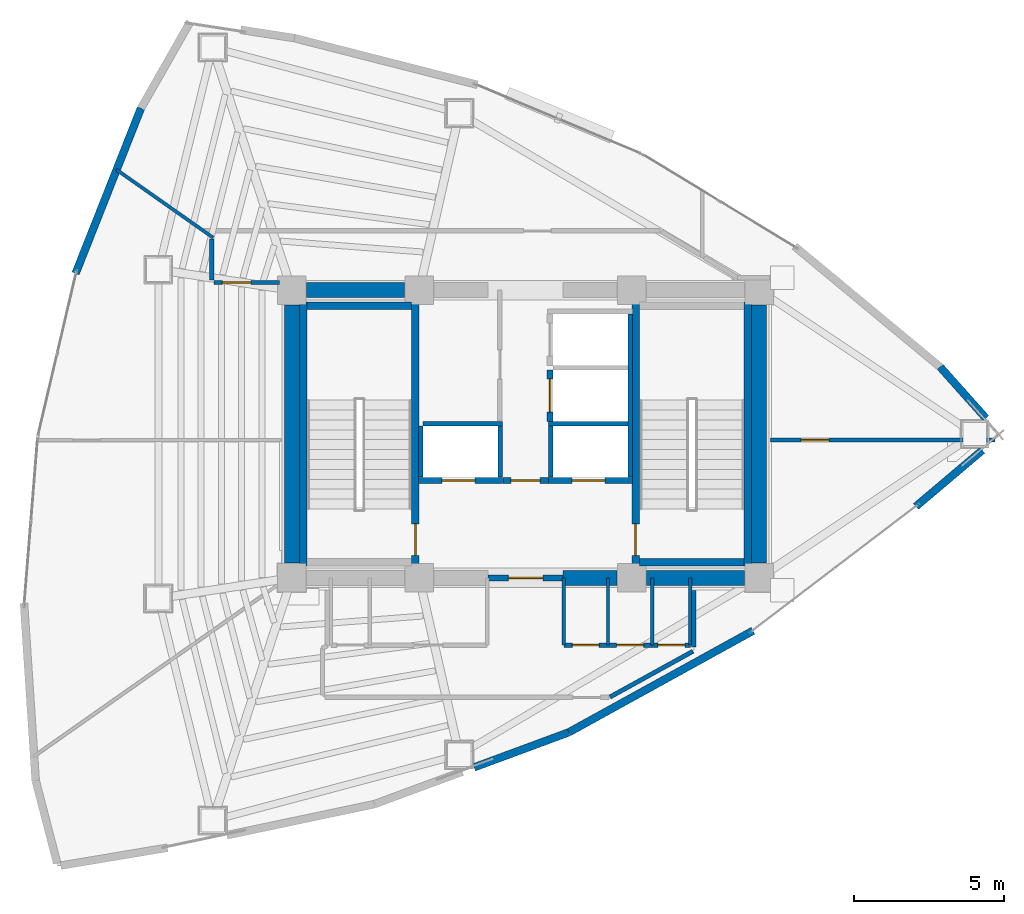
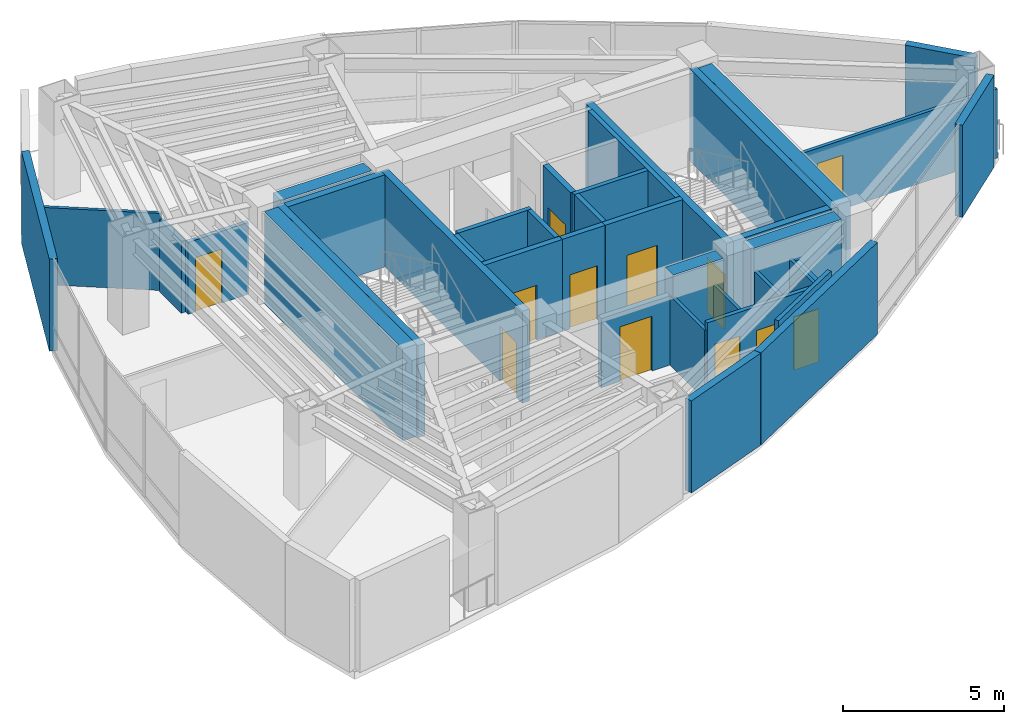
# One storey, part 12 of 15: 38 walls, 12 doors, 12 openings.
"""IFC4 building model written with IfcOpenShell, lengths in metres."""

from ifc_helpers import new_model, si_unit, direction, frame, frame_2d, origin, place, context, subcontext, project, spatial, rectangle, extrude, material, layer, layer_set, type_object, element, fill, save


model = new_model("IFC4")

# Units and contexts
model_context = context("Model", 3, precision=1e-05, world=origin(), true_north=direction((0.0, 1.0)))
body_context = subcontext(model_context, "Body", "Model", "MODEL_VIEW")
ifc_project = project(units=[si_unit("LENGTHUNIT", "METRE"), si_unit("AREAUNIT", "SQUARE_METRE"), si_unit("VOLUMEUNIT", "CUBIC_METRE"), si_unit("PLANEANGLEUNIT", "RADIAN"), si_unit("MASSUNIT", "GRAM", prefix="KILO")], contexts=[model_context])

# Site, building, storey
site_placement = place(None, origin())
site = spatial("IfcSite", under=ifc_project, at=site_placement, CompositionType="ELEMENT")
building_placement = place(site_placement, origin())
building = spatial("IfcBuilding", under=site, at=building_placement, Name="Menara Vayukalpa", CompositionType="ELEMENT")
storey_placement = place(building_placement, frame((0.0, 0.0, 172.919921875)))
storey = spatial("IfcBuildingStorey", under=building, at=storey_placement, Name="L43", CompositionType="ELEMENT", Elevation=172.919921875)

# Walls
ifc_material_1 = material(Name="Concrete C60/75", Category="concrete")
ifc_layer_1 = layer(ifc_material_1, 0.5)
ifc_layer_set_1 = layer_set([ifc_layer_1], Name="Concrete C60/75")
wall_type_1 = type_object("IfcWallType", Name="WAL-CW500", PredefinedType="SHEAR", material=ifc_layer_set_1)
wall_1_placement = place(storey_placement, frame((26.85009765625, 17.199951171875, 0.0), z_axis=(0.0, 0.0, 1.0), x_axis=(1.0, 0.0, 0.0)))
element("IfcWall", 1, at=wall_1_placement, inside=storey, type_object=wall_type_1, Name="L43 Buttressed Core Shear Wall CWS3", PredefinedType="SHEAR", context=body_context, shape_type="SweptSolid", body=[
    extrude(rectangle(XDim=1.804931640625, YDim=0.5, at=frame_2d((0.90234375, 0.0))), origin(), (0.0, 0.0, 1.0), 3.5),
])
for number, where, z_axis, x_axis, name in (
    (2, (29.64501953125, 17.199951171875, 0.0), (0.0, 0.0, 1.0), (1.0, 0.0, 0.0), "L43 Buttressed Core Shear Wall CWS4"),
    (3, (18.294921875, 26.800048828125, 0.0), (0.0, 0.0, 1.0), (1.0, 0.0, 0.0), "L43 Buttressed Core Shear Wall CWN1"),
):
    element("IfcWall", number, at=place(storey_placement, frame(where, z_axis=z_axis, x_axis=x_axis)), inside=storey, type_object=wall_type_1, Name=name, PredefinedType="SHEAR", context=body_context, shape_type="SweptSolid", body=[
        extrude(rectangle(XDim=3.260009765625, YDim=0.5, at=frame_2d((1.6298828125, 0.0))), origin(), (0.0, 0.0, 1.0), 3.5),
    ])
for number, where, z_axis, x_axis, name in (
    (4, (17.800048828125, 17.695068359375, 0.0), (0.0, 0.0, 1.0), (0.0, 1.0, 0.0), "L43 Buttressed Core Shear Wall CWW1"),
    (5, (33.39990234375, 17.695068359375, 0.0), (0.0, 0.0, 1.0), (0.0, 1.0, 0.0), "L43 Buttressed Core Shear Wall CWE1"),
):
    element("IfcWall", number, at=place(storey_placement, frame(where, z_axis=z_axis, x_axis=x_axis)), inside=storey, type_object=wall_type_1, Name=name, PredefinedType="SHEAR", context=body_context, shape_type="SweptSolid", body=[
        extrude(rectangle(XDim=8.60986328125, YDim=0.5, at=frame_2d((4.304931640625, 0.0))), origin(), (0.0, 0.0, 1.0), 3.5),
    ])
ifc_material_2 = material(Name="Insulated Precast Concrete C40/50", Category="concrete")
ifc_layer_2 = layer(ifc_material_2, 0.260009765625)
ifc_layer_set_2 = layer_set([ifc_layer_2], Name="Insulated Precast Concrete C40/50")
wall_type_2 = type_object("IfcWallType", Name="WAL-EXT260", PredefinedType="PARTITIONING", material=ifc_layer_set_2)
wall_2_placement = place(storey_placement, frame((40.85009765625, 21.4580078125, 0.0), z_axis=(0.0, 0.0, 1.0), x_axis=(-0.763472391034, -0.645840466469, 0.0)))
element("IfcWall", 6, at=wall_2_placement, inside=storey, type_object=wall_type_2, Name="L43 Perimeter Terracotta Pier Wall 01", PredefinedType="PARTITIONING", context=body_context, shape_type="SweptSolid", body=[
    extrude(rectangle(XDim=2.903564453125, YDim=0.260009765625, at=frame_2d((1.45166015625, 0.0))), origin(), (0.0, 0.0, 1.0), 3.5),
])
wall_3_placement = place(storey_placement, frame((39.439208984375, 24.2421875, 0.0), z_axis=(0.0, 0.0, 1.0), x_axis=(0.665576459686, -0.746329669993, 0.0)))
element("IfcWall", 7, at=wall_3_placement, inside=storey, type_object=wall_type_2, Name="L43 Perimeter Terracotta Pier Wall 02", PredefinedType="PARTITIONING", context=body_context, shape_type="SweptSolid", body=[
    extrude(rectangle(XDim=2.297607421875, YDim=0.260009765625, at=frame_2d((1.14892578125, 0.0))), origin(), (0.0, 0.0, 1.0), 3.5),
])
wall_4_placement = place(storey_placement, frame((10.578857421875, 27.3603515625, 0.0), z_axis=(0.0, 0.0, 1.0), x_axis=(0.367819433119, 0.929897233365, 0.0)))
element("IfcWall", 8, at=wall_4_placement, inside=storey, type_object=wall_type_2, Name="L43 Perimeter Terracotta Pier Wall 09", PredefinedType="PARTITIONING", context=body_context, shape_type="SweptSolid", body=[
    extrude(rectangle(XDim=5.933349609375, YDim=0.260009765625, at=frame_2d((2.966796875, 0.0))), origin(), (0.0, 0.0, 1.0), 3.5),
])
wall_5_placement = place(storey_placement, frame((27.045166015625, 12.040283203125, 0.0), z_axis=(0.0, 0.0, 1.0), x_axis=(-0.937891061811, -0.346929900953, 0.0)))
element("IfcWall", 9, at=wall_5_placement, inside=storey, type_object=wall_type_2, Name="L43 Perimeter Terracotta Pier Wall 17", PredefinedType="PARTITIONING", context=body_context, shape_type="SweptSolid", body=[
    extrude(rectangle(XDim=3.37158203125, YDim=0.260009765625, at=frame_2d((1.685791015625, 0.0))), origin(), (0.0, 0.0, 1.0), 3.5),
])
wall_6_placement = place(storey_placement, frame((33.194580078125, 15.431640625, 0.0), z_axis=(0.0, 0.0, 1.0), x_axis=(-0.875663362897, -0.482922017389, 0.0)))
element("IfcWall", 10, at=wall_6_placement, inside=storey, type_object=wall_type_2, Name="L43 Perimeter Terracotta Pier Wall 18", PredefinedType="PARTITIONING", context=body_context, shape_type="SweptSolid", body=[
    extrude(rectangle(XDim=7.0224609375, YDim=0.260009765625, at=frame_2d((3.51123046875, 0.0))), origin(), (0.0, 0.0, 1.0), 3.5),
])
ifc_material_3 = material(Name="Lightweight Concrete Blockwork C16/20", Category="masonry")
ifc_layer_3 = layer(ifc_material_3, 0.159912109375)
ifc_layer_set_3 = layer_set([ifc_layer_3], Name="Lightweight Concrete Blockwork C16/20")
wall_type_3 = type_object("IfcWallType", Name="WAL-FR150", PredefinedType="PARTITIONING", material=ifc_layer_set_3)
for number, where, z_axis, x_axis, name in (
    (11, (22.10498046875, 20.56005859375, 0.0), (0.0, 0.0, 1.0), (0.0, 1.0, 0.0), "L43 Interior Partition IW-L43-SHW-WW"),
    (12, (24.7548828125, 20.56005859375, 0.0), (0.0, 0.0, 1.0), (0.0, 1.0, 0.0), "L43 Interior Partition IW-L43-SHW-W1E"),
):
    element("IfcWall", number, at=place(storey_placement, frame(where, z_axis=z_axis, x_axis=x_axis)), inside=storey, type_object=wall_type_3, Name=name, PredefinedType="PARTITIONING", context=body_context, shape_type="SweptSolid", body=[
        extrude(rectangle(XDim=1.7099609375, YDim=0.159912109375, at=frame_2d((0.85498046875, 0.0))), origin(), (0.0, 0.0, 1.0), 3.5),
    ])
wall_7_placement = place(storey_placement, frame((22.179931640625, 22.344970703125, 0.0), z_axis=(0.0, 0.0, 1.0), x_axis=(1.0, 0.0, 0.0)))
element("IfcWall", 13, at=wall_7_placement, inside=storey, type_object=wall_type_3, Name="L43 Interior Partition IW-L43-SHM-W12", PredefinedType="PARTITIONING", context=body_context, shape_type="SweptSolid", body=[
    extrude(rectangle(XDim=2.650146484375, YDim=0.159912109375, at=frame_2d((1.3251953125, 0.0))), origin(), (0.0, 0.0, 1.0), 3.5),
])
wall_8_placement = place(storey_placement, frame((29.094970703125, 20.56005859375, 0.0), z_axis=(0.0, 0.0, 1.0), x_axis=(0.0, 1.0, 0.0)))
element("IfcWall", 14, at=wall_8_placement, inside=storey, type_object=wall_type_3, Name="L43 Interior Partition IW-L43-SHW-EE", PredefinedType="PARTITIONING", context=body_context, shape_type="SweptSolid", body=[
    extrude(rectangle(XDim=5.449951171875, YDim=0.159912109375, at=frame_2d((2.72509765625, 0.0))), origin(), (0.0, 0.0, 1.0), 3.5),
])
wall_9_placement = place(storey_placement, frame((26.445068359375, 20.56005859375, 0.0), z_axis=(0.0, 0.0, 1.0), x_axis=(0.0, 1.0, 0.0)))
element("IfcWall", 15, at=wall_9_placement, inside=storey, type_object=wall_type_3, Name="L43 Interior Partition IW-L43-SHW-E1W", PredefinedType="PARTITIONING", context=body_context, shape_type="SweptSolid", body=[
    extrude(rectangle(XDim=1.7099609375, YDim=0.159912109375, at=frame_2d((0.85498046875, 0.0))), origin(), (0.0, 0.0, 1.0), 3.5),
])
wall_10_placement = place(storey_placement, frame((26.3701171875, 22.344970703125, 0.0), z_axis=(0.0, 0.0, 1.0), x_axis=(1.0, 0.0, 0.0)))
element("IfcWall", 16, at=wall_10_placement, inside=storey, type_object=wall_type_3, Name="L43 Interior Partition IW-L43-SHM-E13", PredefinedType="PARTITIONING", context=body_context, shape_type="SweptSolid", body=[
    extrude(rectangle(XDim=2.64990234375, YDim=0.159912109375, at=frame_2d((1.324951171875, 0.0))), origin(), (0.0, 0.0, 1.0), 3.5),
])

# Wall, opening, door
ifc_material_4 = material(Name="Lightweight Concrete Blockwork C16/20", Category="masonry")
ifc_layer_4 = layer(ifc_material_4, 0.199951171875)
ifc_layer_set_4 = layer_set([ifc_layer_4], Name="Lightweight Concrete Blockwork C16/20")
wall_type_4 = type_object("IfcWallType", Name="WAL-FR200", PredefinedType="PARTITIONING", material=ifc_layer_set_4)
wall_11_placement = place(storey_placement, frame((24.35009765625, 17.199951171875, 0.0), z_axis=(0.0, 0.0, 1.0), x_axis=(1.0, 0.0, 0.0)))
wall_11 = element("IfcWall", 17, at=wall_11_placement, inside=storey, type_object=wall_type_4, Name="L43 Interior Partition IW-L43-FFLS", PredefinedType="PARTITIONING", context=body_context, shape_type="SweptSolid", body=[
    extrude(rectangle(XDim=2.5, YDim=0.199951171875, at=frame_2d((1.25, 0.0))), origin(), (0.0, 0.0, 1.0), 2.630126953125),
])
opening_1_placement = place(wall_11_placement, frame((0.679931640625, 0.0, 0.0)))
opening_1 = element("IfcOpeningElement", 18, at=opening_1_placement, cuts=wall_11, Name="Opening ID2", PredefinedType="OPENING", context=body_context, shape_type="SweptSolid", body=[
    extrude(rectangle(XDim=1.14990234375, YDim=2.080078125, at=frame_2d((0.574951171875, 1.0400390625))), frame((0.0, 0.10986328125, 0.0), z_axis=(0.0, -1.0, 0.0), x_axis=(1.0, 0.0, 0.0)), (0.0, 0.0, 1.0), 0.219970703125),
])
ifc_material_5 = material(Name="Fire-Rated Powder-Coated Steel Door", Category="steel")
door_type_1 = type_object("IfcDoorType", Name="DR-FD60W", OperationType="NOTDEFINED", PredefinedType="DOOR", material=ifc_material_5)
door_1_placement = place(opening_1_placement, origin())
door_1 = element("IfcDoor", 19, at=door_1_placement, inside=storey, type_object=door_type_1, Name="L43 Interior Door DR-L43-FFLS", OperationType="SINGLE_SWING_RIGHT", OverallHeight=2.080078125, OverallWidth=1.14990234375, PredefinedType="DOOR", context=body_context, shape_type="SweptSolid", body=[
    extrude(rectangle(XDim=1.14990234375, YDim=2.080078125, at=frame_2d((0.574951171875, 1.0400390625))), frame((0.0, 0.02490234375, 0.0), z_axis=(0.0, -1.0, 0.0), x_axis=(1.0, 0.0, 0.0)), (0.0, 0.0, 1.0), 0.050048828125),
])
fill(opening_1, door_1)

wall_12_placement = place(storey_placement, frame((24.840087890625, 20.449951171875, 0.0), z_axis=(0.0, 0.0, 1.0), x_axis=(1.0, 0.0, 0.0)))
wall_12 = element("IfcWall", 20, at=wall_12_placement, inside=storey, type_object=wall_type_4, Name="L43 Interior Partition IW-L43-FFLN", PredefinedType="PARTITIONING", context=body_context, shape_type="SweptSolid", body=[
    extrude(rectangle(XDim=1.52001953125, YDim=0.199951171875, at=frame_2d((0.760009765625, 0.0))), origin(), (0.0, 0.0, 1.0), 3.5),
])
opening_2_placement = place(wall_12_placement, frame((0.27001953125, 0.0, 0.0)))
opening_2 = element("IfcOpeningElement", 21, at=opening_2_placement, cuts=wall_12, Name="Opening ID3", PredefinedType="OPENING", context=body_context, shape_type="SweptSolid", body=[
    extrude(rectangle(XDim=0.97998046875, YDim=2.06005859375, at=frame_2d((0.489990234375, 1.030029296875))), frame((0.0, 0.10986328125, 0.0), z_axis=(0.0, -1.0, 0.0), x_axis=(1.0, 0.0, 0.0)), (0.0, 0.0, 1.0), 0.219970703125),
])
ifc_material_6 = material(Name="Fire-Rated Powder-Coated Steel Door", Category="steel")
door_type_2 = type_object("IfcDoorType", Name="DR-FD60", OperationType="NOTDEFINED", PredefinedType="DOOR", material=ifc_material_6)
door_2_placement = place(opening_2_placement, origin())
door_2 = element("IfcDoor", 22, at=door_2_placement, inside=storey, type_object=door_type_2, Name="L43 Interior Door DR-L43-FFLN", OperationType="SINGLE_SWING_LEFT", OverallHeight=2.06005859375, OverallWidth=0.97998046875, PredefinedType="DOOR", context=body_context, shape_type="SweptSolid", body=[
    extrude(rectangle(XDim=0.97998046875, YDim=2.06005859375, at=frame_2d((0.489990234375, 1.030029296875))), frame((0.0, 0.02490234375, 0.0), z_axis=(0.0, -1.0, 0.0), x_axis=(1.0, 0.0, 0.0)), (0.0, 0.0, 1.0), 0.050048828125),
])
fill(opening_2, door_2)

wall_13_placement = place(storey_placement, frame((22.030029296875, 20.449951171875, 0.0), z_axis=(0.0, 0.0, 1.0), x_axis=(1.0, 0.0, 0.0)))
wall_13 = element("IfcWall", 23, at=wall_13_placement, inside=storey, type_object=wall_type_4, Name="L43 Interior Partition IW-L43-SH-W1", PredefinedType="PARTITIONING", context=body_context, shape_type="SweptSolid", body=[
    extrude(rectangle(XDim=2.800048828125, YDim=0.199951171875, at=frame_2d((1.39990234375, 0.0))), origin(), (0.0, 0.0, 1.0), 3.5),
])
opening_3_placement = place(wall_13_placement, frame((0.780029296875, 0.0, 0.0)))
opening_3 = element("IfcOpeningElement", 24, at=opening_3_placement, cuts=wall_13, Name="Opening LD1", PredefinedType="OPENING", context=body_context, shape_type="SweptSolid", body=[
    extrude(rectangle(XDim=1.10009765625, YDim=2.080078125, at=frame_2d((0.550048828125, 1.0400390625))), frame((0.0, 0.10986328125, 0.0), z_axis=(0.0, -1.0, 0.0), x_axis=(1.0, 0.0, 0.0)), (0.0, 0.0, 1.0), 0.219970703125),
])
ifc_material_7 = material(Name="Brushed Stainless Steel 316 Lift Door", Category="steel")
door_type_3 = type_object("IfcDoorType", Name="DR-LD110", OperationType="NOTDEFINED", PredefinedType="DOOR", material=ifc_material_7)
door_3_placement = place(opening_3_placement, origin())
door_3 = element("IfcDoor", 25, at=door_3_placement, inside=storey, type_object=door_type_3, Name="L43 Interior Door DR-L43-LD-W1", OperationType="DOUBLE_DOOR_SLIDING", OverallHeight=2.080078125, OverallWidth=1.10009765625, PredefinedType="DOOR", context=body_context, shape_type="SweptSolid", body=[
    extrude(rectangle(XDim=1.10009765625, YDim=2.080078125, at=frame_2d((0.550048828125, 1.0400390625))), frame((0.0, 0.02490234375, 0.0), z_axis=(0.0, -1.0, 0.0), x_axis=(1.0, 0.0, 0.0)), (0.0, 0.0, 1.0), 0.050048828125),
])
fill(opening_3, door_3)

wall_14_placement = place(storey_placement, frame((26.3701171875, 20.449951171875, 0.0), z_axis=(0.0, 0.0, 1.0), x_axis=(1.0, 0.0, 0.0)))
wall_14 = element("IfcWall", 26, at=wall_14_placement, inside=storey, type_object=wall_type_4, Name="L43 Interior Partition IW-L43-SH-E1", PredefinedType="PARTITIONING", context=body_context, shape_type="SweptSolid", body=[
    extrude(rectangle(XDim=2.7998046875, YDim=0.199951171875, at=frame_2d((1.39990234375, 0.0))), origin(), (0.0, 0.0, 1.0), 3.5),
])
opening_4_placement = place(wall_14_placement, frame((0.780029296875, 0.0, 0.0)))
opening_4 = element("IfcOpeningElement", 27, at=opening_4_placement, cuts=wall_14, Name="Opening LD1", PredefinedType="OPENING", context=body_context, shape_type="SweptSolid", body=[
    extrude(rectangle(XDim=1.10009765625, YDim=2.080078125, at=frame_2d((0.550048828125, 1.0400390625))), frame((0.0, 0.10986328125, 0.0), z_axis=(0.0, -1.0, 0.0), x_axis=(1.0, 0.0, 0.0)), (0.0, 0.0, 1.0), 0.219970703125),
])
door_4_placement = place(opening_4_placement, origin())
door_4 = element("IfcDoor", 28, at=door_4_placement, inside=storey, type_object=door_type_3, Name="L43 Interior Door DR-L43-LD-E1", OperationType="DOUBLE_DOOR_SLIDING", OverallHeight=2.080078125, OverallWidth=1.10009765625, PredefinedType="DOOR", context=body_context, shape_type="SweptSolid", body=[
    extrude(rectangle(XDim=1.10009765625, YDim=2.080078125, at=frame_2d((0.550048828125, 1.0400390625))), frame((0.0, 0.02490234375, 0.0), z_axis=(0.0, -1.0, 0.0), x_axis=(1.0, 0.0, 0.0)), (0.0, 0.0, 1.0), 0.050048828125),
])
fill(opening_4, door_4)

wall_15_placement = place(storey_placement, frame((26.419921875, 22.419921875, 0.0), z_axis=(0.0, 0.0, 1.0), x_axis=(0.0, 1.0, 0.0)))
wall_15 = element("IfcWall", 29, at=wall_15_placement, inside=storey, type_object=wall_type_4, Name="L43 Interior Partition IW-L43-SH-E3", PredefinedType="PARTITIONING", context=body_context, shape_type="SweptSolid", body=[
    extrude(rectangle(XDim=1.719970703125, YDim=0.199951171875, at=frame_2d((0.85986328125, 0.0))), origin(), (0.0, 0.0, 1.0), 3.5),
])
opening_5_placement = place(wall_15_placement, frame((0.31005859375, 0.0, 0.0)))
opening_5 = element("IfcOpeningElement", 30, at=opening_5_placement, cuts=wall_15, Name="Opening LD1", PredefinedType="OPENING", context=body_context, shape_type="SweptSolid", body=[
    extrude(rectangle(XDim=1.10009765625, YDim=2.080078125, at=frame_2d((0.550048828125, 1.0400390625))), frame((0.0, 0.10986328125, 0.0), z_axis=(0.0, -1.0, 0.0), x_axis=(1.0, 0.0, 0.0)), (0.0, 0.0, 1.0), 0.219970703125),
])
door_5_placement = place(opening_5_placement, origin())
door_5 = element("IfcDoor", 31, at=door_5_placement, inside=storey, type_object=door_type_3, Name="L43 Interior Door DR-L43-LD-E3", OperationType="DOUBLE_DOOR_SLIDING", OverallHeight=2.080078125, OverallWidth=1.10009765625, PredefinedType="DOOR", context=body_context, shape_type="SweptSolid", body=[
    extrude(rectangle(XDim=1.10009765625, YDim=2.080078125, at=frame_2d((0.550048828125, 1.0400390625))), frame((0.0, 0.02490234375, 0.0), z_axis=(0.0, -1.0, 0.0), x_axis=(1.0, 0.0, 0.0)), (0.0, 0.0, 1.0), 0.050048828125),
])
fill(opening_5, door_5)

# Walls
ifc_material_8 = material(Name="Acoustic Mineral Stud Partition", Category="masonry")
ifc_layer_5 = layer(ifc_material_8, 0.110107421875)
ifc_layer_set_5 = layer_set([ifc_layer_5], Name="Acoustic Mineral Stud Partition")
wall_type_5 = type_object("IfcWallType", Name="WAL-PT110", PredefinedType="PARTITIONING", material=ifc_layer_set_5)
wall_16_placement = place(storey_placement, frame((28.35009765625, 14.949951171875, 0.0), z_axis=(0.0, 0.0, 1.0), x_axis=(0.0, 1.0, 0.0)))
element("IfcWall", 32, at=wall_16_placement, inside=storey, type_object=wall_type_5, Name="L43 Interior Partition IW-L43-SVCD-05", PredefinedType="PARTITIONING", context=body_context, shape_type="SweptSolid", body=[
    extrude(rectangle(XDim=2.25, YDim=0.110107421875, at=frame_2d((1.125, 0.0))), origin(), (0.0, 0.0, 1.0), 2.630126953125),
])
wall_17_placement = place(storey_placement, frame((11.939208984375, 30.826416015625, 0.0), z_axis=(0.0, 0.0, 1.0), x_axis=(0.81818776637, -0.574951110063, 0.0)))
element("IfcWall", 33, at=wall_17_placement, inside=storey, type_object=wall_type_5, Name="L43 Interior Partition IW-L43-RDIV05", PredefinedType="PARTITIONING", context=body_context, shape_type="SweptSolid", body=[
    extrude(rectangle(XDim=3.94873046875, YDim=0.110107421875, at=frame_2d((1.974365234375, 0.0))), origin(), (0.0, 0.0, 1.0), 2.93017578125),
])
ifc_material_9 = material(Name="Gypsum Drywall Steel Stud Assembly", Category="steel")
ifc_layer_6 = layer(ifc_material_9, 0.125)
ifc_layer_set_6 = layer_set([ifc_layer_6], Name="Gypsum Drywall Steel Stud Assembly")
wall_type_6 = type_object("IfcWallType", Name="WAL-PT125", PredefinedType="PARTITIONING", material=ifc_layer_set_6)
for number, where, z_axis, x_axis, name in (
    (34, (26.8798828125, 14.949951171875, 0.0), (0.0, 0.0, 1.0), (0.0, 1.0, 0.0), "L43 Interior Partition IW-L43-SVCD-04"),
    (35, (29.830078125, 14.949951171875, 0.0), (0.0, 0.0, 1.0), (0.0, 1.0, 0.0), "L43 Interior Partition IW-L43-SVCD-06"),
    (36, (31.10009765625, 14.949951171875, 0.0), (0.0, 0.0, 1.0), (0.0, 1.0, 0.0), "L43 Interior Partition IW-L43-SVCD-07"),
):
    element("IfcWall", number, at=place(storey_placement, frame(where, z_axis=z_axis, x_axis=x_axis)), inside=storey, type_object=wall_type_6, Name=name, PredefinedType="PARTITIONING", context=body_context, shape_type="SweptSolid", body=[
        extrude(rectangle(XDim=2.25, YDim=0.125, at=frame_2d((1.125, 0.0))), origin(), (0.0, 0.0, 1.0), 2.630126953125),
    ])

# Wall, opening, door
wall_18_placement = place(storey_placement, frame((33.77001953125, 21.800048828125, 0.0), z_axis=(0.0, 0.0, 1.0), x_axis=(1.0, 0.0, 0.0)))
wall_18 = element("IfcWall", 37, at=wall_18_placement, inside=storey, type_object=wall_type_6, Name="L43 Interior Partition IW-L43-RDIV03", PredefinedType="PARTITIONING", context=body_context, shape_type="SweptSolid", body=[
    extrude(rectangle(XDim=7.5, YDim=0.125, at=frame_2d((3.75, 0.0))), origin(), (0.0, 0.0, 1.0), 2.630126953125),
])
opening_6_placement = place(wall_18_placement, frame((1.032470703125, 0.0, 0.0)))
opening_6 = element("IfcOpeningElement", 38, at=opening_6_placement, cuts=wall_18, Name="Opening ID6", PredefinedType="OPENING", context=body_context, shape_type="SweptSolid", body=[
    extrude(rectangle(XDim=0.919921875, YDim=2.050048828125, at=frame_2d((0.4599609375, 1.02490234375))), frame((0.0, 0.072509765625, 0.0), z_axis=(0.0, -1.0, 0.0), x_axis=(1.0, 0.0, 0.0)), (0.0, 0.0, 1.0), 0.14501953125),
])
ifc_material_10 = material(Name="Acoustic Hardwood Veneer Timber Door", Category="wood")
door_type_4 = type_object("IfcDoorType", Name="DR-INT92", OperationType="NOTDEFINED", PredefinedType="DOOR", material=ifc_material_10)
door_6_placement = place(opening_6_placement, origin())
door_6 = element("IfcDoor", 39, at=door_6_placement, inside=storey, type_object=door_type_4, Name="L43 Interior Door DR-L43-STE03", OperationType="SINGLE_SWING_RIGHT", OverallHeight=2.050048828125, OverallWidth=0.919921875, PredefinedType="DOOR", context=body_context, shape_type="SweptSolid", body=[
    extrude(rectangle(XDim=0.919921875, YDim=2.050048828125, at=frame_2d((0.4599609375, 1.02490234375))), frame((0.0, 0.02490234375, 0.0), z_axis=(0.0, -1.0, 0.0), x_axis=(1.0, 0.0, 0.0)), (0.0, 0.0, 1.0), 0.050048828125),
])
fill(opening_6, door_6)

# Wall, openings, doors
ifc_material_11 = material(Name="Gypsum Drywall Acoustic Stud Assembly", Category="masonry")
ifc_layer_7 = layer(ifc_material_11, 0.14501953125)
ifc_layer_set_7 = layer_set([ifc_layer_7], Name="Gypsum Drywall Acoustic Stud Assembly")
wall_type_7 = type_object("IfcWallType", Name="WAL-PT150", PredefinedType="PARTITIONING", material=ifc_layer_set_7)
wall_19_placement = place(storey_placement, frame((26.8798828125, 14.949951171875, 0.0), z_axis=(0.0, 0.0, 1.0), x_axis=(1.0, 0.0, 0.0)))
wall_19 = element("IfcWall", 40, at=wall_19_placement, inside=storey, type_object=wall_type_7, Name="L43 Interior Partition IW-L43-SVCS-E", PredefinedType="PARTITIONING", context=body_context, shape_type="SweptSolid", body=[
    extrude(rectangle(XDim=4.22021484375, YDim=0.14501953125, at=frame_2d((2.110107421875, 0.0))), origin(), (0.0, 0.0, 1.0), 2.93017578125),
])
opening_7_placement = place(wall_19_placement, frame((0.280029296875, 0.0, 0.0)))
opening_7 = element("IfcOpeningElement", 41, at=opening_7_placement, cuts=wall_19, Name="Opening ID7", PredefinedType="OPENING", context=body_context, shape_type="SweptSolid", body=[
    extrude(rectangle(XDim=0.89990234375, YDim=2.02001953125, at=frame_2d((0.449951171875, 1.010009765625))), frame((0.0, 0.08251953125, 0.0), z_axis=(0.0, -1.0, 0.0), x_axis=(1.0, 0.0, 0.0)), (0.0, 0.0, 1.0), 0.1650390625),
])
opening_8_placement = place(wall_19_placement, frame((1.760009765625, 0.0, 0.0)))
opening_8 = element("IfcOpeningElement", 42, at=opening_8_placement, cuts=wall_19, Name="Opening ID7", PredefinedType="OPENING", context=body_context, shape_type="SweptSolid", body=[
    extrude(rectangle(XDim=0.89990234375, YDim=2.02001953125, at=frame_2d((0.449951171875, 1.010009765625))), frame((0.0, 0.08251953125, 0.0), z_axis=(0.0, -1.0, 0.0), x_axis=(1.0, 0.0, 0.0)), (0.0, 0.0, 1.0), 0.1650390625),
])
opening_9_placement = place(wall_19_placement, frame((3.139892578125, 0.0, 0.0)))
opening_9 = element("IfcOpeningElement", 43, at=opening_9_placement, cuts=wall_19, Name="Opening ID7", PredefinedType="OPENING", context=body_context, shape_type="SweptSolid", body=[
    extrude(rectangle(XDim=0.89990234375, YDim=2.02001953125, at=frame_2d((0.449951171875, 1.010009765625))), frame((0.0, 0.08251953125, 0.0), z_axis=(0.0, -1.0, 0.0), x_axis=(1.0, 0.0, 0.0)), (0.0, 0.0, 1.0), 0.1650390625),
])
ifc_material_12 = material(Name="Powder-Coated Steel Riser Access Door", Category="steel")
door_type_5 = type_object("IfcDoorType", Name="DR-RISER", OperationType="NOTDEFINED", PredefinedType="DOOR", material=ifc_material_12)
door_7_placement = place(opening_7_placement, origin())
door_7 = element("IfcDoor", 44, at=door_7_placement, inside=storey, type_object=door_type_5, Name="L43 Interior Door DR-L43-KSV1", OperationType="SINGLE_SWING_LEFT", OverallHeight=2.02001953125, OverallWidth=0.89990234375, PredefinedType="DOOR", context=body_context, shape_type="SweptSolid", body=[
    extrude(rectangle(XDim=0.89990234375, YDim=2.02001953125, at=frame_2d((0.449951171875, 1.010009765625))), frame((0.0, 0.02490234375, 0.0), z_axis=(0.0, -1.0, 0.0), x_axis=(1.0, 0.0, 0.0)), (0.0, 0.0, 1.0), 0.050048828125),
])
fill(opening_7, door_7)
door_8_placement = place(opening_8_placement, origin())
door_8 = element("IfcDoor", 45, at=door_8_placement, inside=storey, type_object=door_type_5, Name="L43 Interior Door DR-L43-KSV2", OperationType="SINGLE_SWING_RIGHT", OverallHeight=2.02001953125, OverallWidth=0.89990234375, PredefinedType="DOOR", context=body_context, shape_type="SweptSolid", body=[
    extrude(rectangle(XDim=0.89990234375, YDim=2.02001953125, at=frame_2d((0.449951171875, 1.010009765625))), frame((0.0, 0.02490234375, 0.0), z_axis=(0.0, -1.0, 0.0), x_axis=(1.0, 0.0, 0.0)), (0.0, 0.0, 1.0), 0.050048828125),
])
fill(opening_8, door_8)
door_9_placement = place(opening_9_placement, origin())
door_9 = element("IfcDoor", 46, at=door_9_placement, inside=storey, type_object=door_type_5, Name="L43 Interior Door DR-L43-SMD", OperationType="SINGLE_SWING_LEFT", OverallHeight=2.02001953125, OverallWidth=0.89990234375, PredefinedType="DOOR", context=body_context, shape_type="SweptSolid", body=[
    extrude(rectangle(XDim=0.89990234375, YDim=2.02001953125, at=frame_2d((0.449951171875, 1.010009765625))), frame((0.0, 0.02490234375, 0.0), z_axis=(0.0, -1.0, 0.0), x_axis=(1.0, 0.0, 0.0)), (0.0, 0.0, 1.0), 0.050048828125),
])
fill(opening_9, door_9)

# Walls
wall_20_placement = place(storey_placement, frame((28.41796875, 13.219970703125, 0.0), z_axis=(0.0, 0.0, 1.0), x_axis=(0.875692450227, 0.48286927073, 0.0)))
element("IfcWall", 47, at=wall_20_placement, inside=storey, type_object=wall_type_7, Name="L43 Interior Partition IW-L43-CRM02-4", PredefinedType="PARTITIONING", context=body_context, shape_type="SweptSolid", body=[
    extrude(rectangle(XDim=3.1640625, YDim=0.14501953125, at=frame_2d((1.58203125, 0.0))), origin(), (0.0, 0.0, 1.0), 3.5),
])
wall_21_placement = place(storey_placement, frame((31.219970703125, 14.888671875, 0.0), z_axis=(0.0, 0.0, 1.0), x_axis=(0.0, 1.0, 0.0)))
element("IfcWall", 48, at=wall_21_placement, inside=storey, type_object=wall_type_7, Name="L43 Interior Partition IW-L43-CRM02-5", PredefinedType="PARTITIONING", context=body_context, shape_type="SweptSolid", body=[
    extrude(rectangle(XDim=1.891357421875, YDim=0.14501953125, at=frame_2d((0.94580078125, 0.0))), origin(), (0.0, 0.0, 1.0), 2.630126953125),
])
wall_22_placement = place(storey_placement, frame((15.1201171875, 28.505859375, 0.0), z_axis=(0.0, 0.0, 1.0), x_axis=(0.0, -1.0, 0.0)))
element("IfcWall", 49, at=wall_22_placement, inside=storey, type_object=wall_type_7, Name="L43 Interior Partition IW-L43-CRM05-1", PredefinedType="PARTITIONING", context=body_context, shape_type="SweptSolid", body=[
    extrude(rectangle(XDim=1.365966796875, YDim=0.14501953125, at=frame_2d((0.68310546875, 0.0))), origin(), (0.0, 0.0, 1.0), 2.72998046875),
])

# Wall, opening, door
wall_23_placement = place(storey_placement, frame((15.199951171875, 27.06005859375, 0.0), z_axis=(0.0, 0.0, 1.0), x_axis=(1.0, 0.0, 0.0)))
wall_23 = element("IfcWall", 50, at=wall_23_placement, inside=storey, type_object=wall_type_7, Name="L43 Interior Partition IW-L43-CRM05-2", PredefinedType="PARTITIONING", context=body_context, shape_type="SweptSolid", body=[
    extrude(rectangle(XDim=2.179931640625, YDim=0.14501953125, at=frame_2d((1.08984375, 0.0))), origin(), (0.0, 0.0, 1.0), 2.72998046875),
])
opening_10_placement = place(wall_23_placement, frame((0.280029296875, 0.0, 0.0)))
opening_10 = element("IfcOpeningElement", 51, at=opening_10_placement, cuts=wall_23, Name="Opening ID5", PredefinedType="OPENING", context=body_context, shape_type="SweptSolid", body=[
    extrude(rectangle(XDim=0.949951171875, YDim=2.06005859375, at=frame_2d((0.47509765625, 1.030029296875))), frame((0.0, 0.08251953125, 0.0), z_axis=(0.0, -1.0, 0.0), x_axis=(1.0, 0.0, 0.0)), (0.0, 0.0, 1.0), 0.1650390625),
])
ifc_material_13 = material(Name="Acoustic Hardwood Veneer Timber Door", Category="wood")
door_type_6 = type_object("IfcDoorType", Name="DR-INT95", OperationType="NOTDEFINED", PredefinedType="DOOR", material=ifc_material_13)
door_10_placement = place(opening_10_placement, origin())
door_10 = element("IfcDoor", 52, at=door_10_placement, inside=storey, type_object=door_type_6, Name="L43 Interior Door DR-L43-RM05", OperationType="SINGLE_SWING_RIGHT", OverallHeight=2.06005859375, OverallWidth=0.949951171875, PredefinedType="DOOR", context=body_context, shape_type="SweptSolid", body=[
    extrude(rectangle(XDim=0.949951171875, YDim=2.06005859375, at=frame_2d((0.47509765625, 1.030029296875))), frame((0.0, 0.02490234375, 0.0), z_axis=(0.0, -1.0, 0.0), x_axis=(1.0, 0.0, 0.0)), (0.0, 0.0, 1.0), 0.050048828125),
])
fill(opening_10, door_10)

# Wall
ifc_material_14 = material(Name="Concrete C50/60", Category="concrete")
ifc_layer_8 = layer(ifc_material_14, 0.25)
ifc_layer_set_8 = layer_set([ifc_layer_8], Name="Concrete C50/60")
wall_type_8 = type_object("IfcWallType", Name="WAL-SW250", PredefinedType="SHEAR", material=ifc_layer_set_8)
wall_24_placement = place(storey_placement, frame((18.178955078125, 17.60009765625, 0.0), z_axis=(0.0, 0.0, 1.0), x_axis=(0.0, 1.0, 0.0)))
element("IfcWall", 53, at=wall_24_placement, inside=storey, type_object=wall_type_8, Name="L43 ST1 Structural Stair Shaft Wall W", PredefinedType="SHEAR", context=body_context, shape_type="SweptSolid", body=[
    extrude(rectangle(XDim=8.7998046875, YDim=0.25, at=frame_2d((4.39990234375, 0.0))), origin(), (0.0, 0.0, 1.0), 3.5),
])

# Wall, opening, door
wall_25_placement = place(storey_placement, frame((21.925048828125, 17.60009765625, 0.0), z_axis=(0.0, 0.0, 1.0), x_axis=(0.0, 1.0, 0.0)))
wall_25 = element("IfcWall", 54, at=wall_25_placement, inside=storey, type_object=wall_type_8, Name="L43 ST1 Structural Stair Shaft Wall E", PredefinedType="SHEAR", context=body_context, shape_type="SweptSolid", body=[
    extrude(rectangle(XDim=8.7998046875, YDim=0.25, at=frame_2d((4.39990234375, 0.0))), origin(), (0.0, 0.0, 1.0), 3.5),
])
opening_11_placement = place(wall_25_placement, frame((0.35009765625, 0.0, 0.0)))
opening_11 = element("IfcOpeningElement", 55, at=opening_11_placement, cuts=wall_25, Name="Opening ID1", PredefinedType="OPENING", context=body_context, shape_type="SweptSolid", body=[
    extrude(rectangle(XDim=1.050048828125, YDim=2.080078125, at=frame_2d((0.52490234375, 1.0400390625))), frame((0.0, 0.135009765625, 0.0), z_axis=(0.0, -1.0, 0.0), x_axis=(1.0, 0.0, 0.0)), (0.0, 0.0, 1.0), 0.27001953125),
])
ifc_material_15 = material(Name="Fire-Rated Powder-Coated Steel Door", Category="steel")
door_type_7 = type_object("IfcDoorType", Name="DR-FD120", OperationType="NOTDEFINED", PredefinedType="DOOR", material=ifc_material_15)
door_11_placement = place(opening_11_placement, origin())
door_11 = element("IfcDoor", 56, at=door_11_placement, inside=storey, type_object=door_type_7, Name="L43 Stair Exit Door DR-L43-ST1", OperationType="SINGLE_SWING_LEFT", OverallHeight=2.080078125, OverallWidth=1.050048828125, PredefinedType="DOOR", context=body_context, shape_type="SweptSolid", body=[
    extrude(rectangle(XDim=1.050048828125, YDim=2.080078125, at=frame_2d((0.52490234375, 1.0400390625))), frame((0.0, 0.02490234375, 0.0), z_axis=(0.0, -1.0, 0.0), x_axis=(1.0, 0.0, 0.0)), (0.0, 0.0, 1.0), 0.050048828125),
])
fill(opening_11, door_11)

# Wall
wall_26_placement = place(storey_placement, frame((18.303955078125, 26.27490234375, 0.0), z_axis=(0.0, 0.0, 1.0), x_axis=(1.0, 0.0, 0.0)))
element("IfcWall", 57, at=wall_26_placement, inside=storey, type_object=wall_type_8, Name="L43 ST1 Structural Stair Shaft Wall N", PredefinedType="SHEAR", context=body_context, shape_type="SweptSolid", body=[
    extrude(rectangle(XDim=3.49609375, YDim=0.25, at=frame_2d((1.748046875, 0.0))), origin(), (0.0, 0.0, 1.0), 3.5),
])

# Wall, opening, door
wall_27_placement = place(storey_placement, frame((29.27490234375, 17.60009765625, 0.0), z_axis=(0.0, 0.0, 1.0), x_axis=(0.0, 1.0, 0.0)))
wall_27 = element("IfcWall", 58, at=wall_27_placement, inside=storey, type_object=wall_type_8, Name="L43 ST2 Structural Stair Shaft Wall W", PredefinedType="SHEAR", context=body_context, shape_type="SweptSolid", body=[
    extrude(rectangle(XDim=8.7998046875, YDim=0.25, at=frame_2d((4.39990234375, 0.0))), origin(), (0.0, 0.0, 1.0), 3.5),
])
opening_12_placement = place(wall_27_placement, frame((0.35009765625, 0.0, 0.0)))
opening_12 = element("IfcOpeningElement", 59, at=opening_12_placement, cuts=wall_27, Name="Opening ID1", PredefinedType="OPENING", context=body_context, shape_type="SweptSolid", body=[
    extrude(rectangle(XDim=1.050048828125, YDim=2.080078125, at=frame_2d((0.52490234375, 1.0400390625))), frame((0.0, 0.135009765625, 0.0), z_axis=(0.0, -1.0, 0.0), x_axis=(1.0, 0.0, 0.0)), (0.0, 0.0, 1.0), 0.27001953125),
])
door_12_placement = place(opening_12_placement, origin())
door_12 = element("IfcDoor", 60, at=door_12_placement, inside=storey, type_object=door_type_7, Name="L43 Stair Exit Door DR-L43-ST2", OperationType="SINGLE_SWING_RIGHT", OverallHeight=2.080078125, OverallWidth=1.050048828125, PredefinedType="DOOR", context=body_context, shape_type="SweptSolid", body=[
    extrude(rectangle(XDim=1.050048828125, YDim=2.080078125, at=frame_2d((0.52490234375, 1.0400390625))), frame((0.0, 0.02490234375, 0.0), z_axis=(0.0, -1.0, 0.0), x_axis=(1.0, 0.0, 0.0)), (0.0, 0.0, 1.0), 0.050048828125),
])
fill(opening_12, door_12)

# Walls
wall_28_placement = place(storey_placement, frame((33.02099609375, 17.60009765625, 0.0), z_axis=(0.0, 0.0, 1.0), x_axis=(0.0, 1.0, 0.0)))
element("IfcWall", 61, at=wall_28_placement, inside=storey, type_object=wall_type_8, Name="L43 ST2 Structural Stair Shaft Wall E", PredefinedType="SHEAR", context=body_context, shape_type="SweptSolid", body=[
    extrude(rectangle(XDim=8.7998046875, YDim=0.25, at=frame_2d((4.39990234375, 0.0))), origin(), (0.0, 0.0, 1.0), 3.5),
])
wall_29_placement = place(storey_placement, frame((29.39990234375, 17.72509765625, 0.0), z_axis=(0.0, 0.0, 1.0), x_axis=(1.0, 0.0, 0.0)))
element("IfcWall", 62, at=wall_29_placement, inside=storey, type_object=wall_type_8, Name="L43 ST2 Structural Stair Shaft Wall S", PredefinedType="SHEAR", context=body_context, shape_type="SweptSolid", body=[
    extrude(rectangle(XDim=3.49609375, YDim=0.25, at=frame_2d((1.748046875, 0.0))), origin(), (0.0, 0.0, 1.0), 3.5),
])

save(model, "model.ifc")
